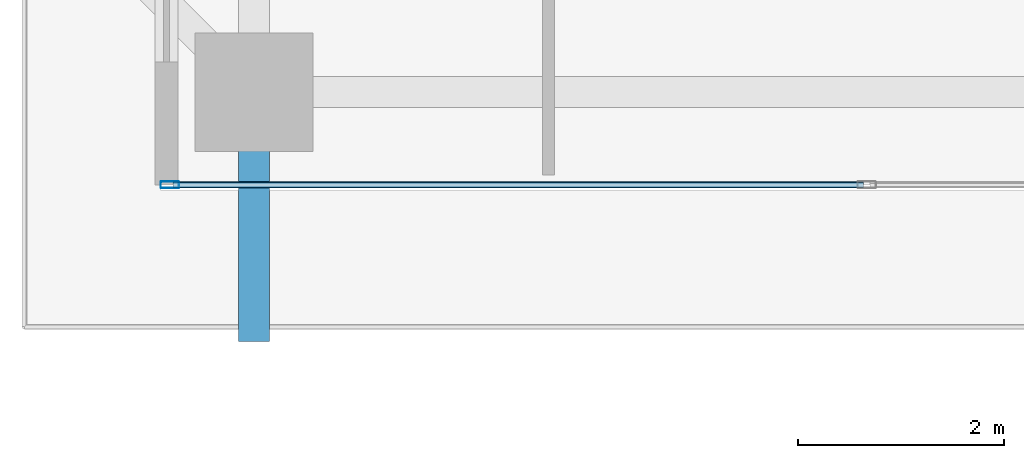
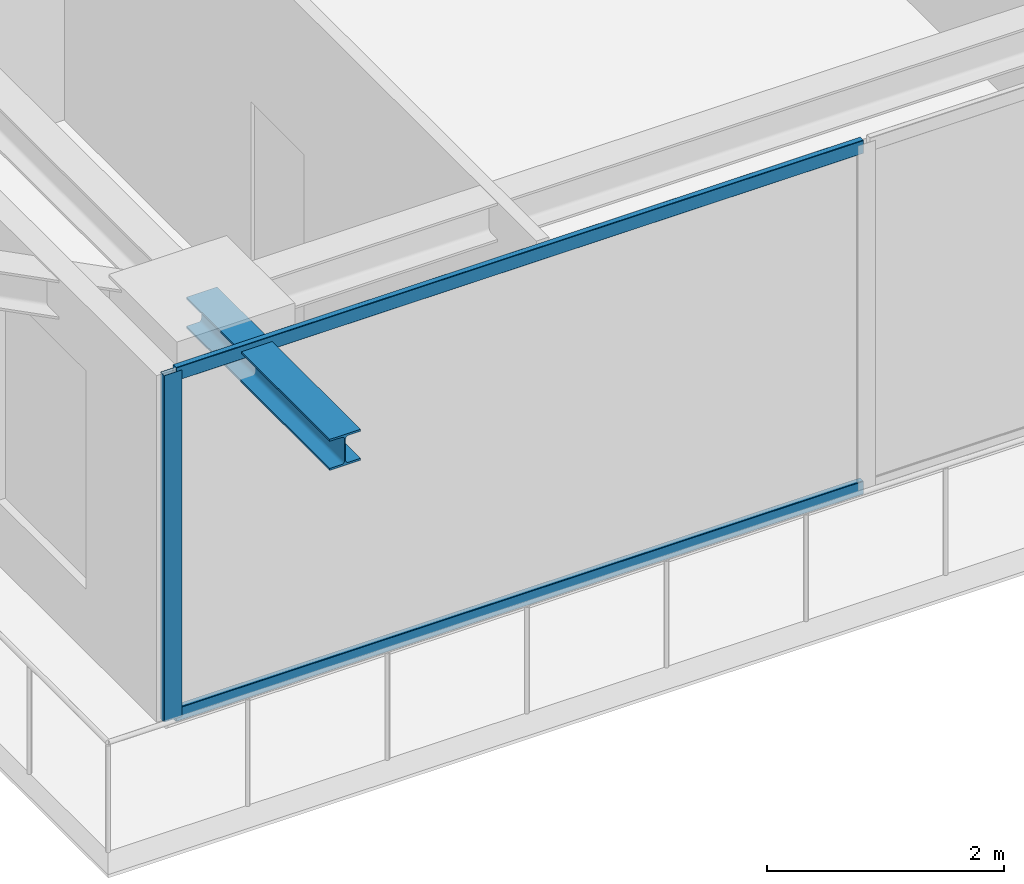
# One storey, part 2 of 39: 3 members, 1 beam, 1 element without a shape of its own.
"""IFC4 building model written with IfcOpenShell, lengths in metres."""

from ifc_helpers import new_model, si_unit, direction, frame, origin, origin_2d, place, context, subcontext, project, spatial, hollow_rectangle, i_section, extrude, source, transform, mapped, material, layer, layer_set, material_profile, profile_set, type_object, element, aggregate, save


model = new_model("IFC4")

# Units and contexts
model_context = context("Model", 3, precision=1e-05, world=origin(), true_north=direction((0.0, 1.0)))
body_context = subcontext(model_context, "Body", "Model", "MODEL_VIEW")
ifc_project = project(units=[si_unit("LENGTHUNIT", "METRE"), si_unit("AREAUNIT", "SQUARE_METRE"), si_unit("VOLUMEUNIT", "CUBIC_METRE"), si_unit("PLANEANGLEUNIT", "RADIAN"), si_unit("MASSUNIT", "GRAM", prefix="KILO")], contexts=[model_context])

# Site, building, storey
site_placement = place(None, origin())
site = spatial("IfcSite", under=ifc_project, at=site_placement, CompositionType="ELEMENT")
building_placement = place(site_placement, origin())
building = spatial("IfcBuilding", under=site, at=building_placement, Name="Serunith Strait Residences", CompositionType="ELEMENT")
storey_placement = place(building_placement, frame((0.0, 0.0, 222.0)))
storey = spatial("IfcBuildingStorey", under=building, at=storey_placement, Name="L55", CompositionType="ELEMENT", Elevation=222.0)

# Beam
ifc_material_1 = material(Name="Steel S355J2", Category="steel")
ifc_material_profile_1 = material_profile(ifc_material_1, i_section(OverallWidth=0.300048828125, OverallDepth=0.320068359375, WebThickness=0.011474609375, FlangeThickness=0.0205078125, FilletRadius=0.027099609375, at=origin_2d()), Name="HEB 320")
ifc_profile_set_1 = profile_set([ifc_material_profile_1], Name="Steel S355J2")
beam_type = type_object("IfcBeamType", Name="BM-HEB320", PredefinedType="BEAM", material=ifc_profile_set_1)
shared_shape_1 = source(origin(), body_context, "Body", "SweptSolid", [
    extrude(i_section(OverallWidth=0.300048828125, OverallDepth=0.320068359375, WebThickness=0.011474609375, FlangeThickness=0.0205078125, FilletRadius=0.027099609375, at=origin_2d()), origin(), (0.0, 0.0, 1.0), 2.421142578125),
])
beam_placement = place(storey_placement, frame((16.25, 2.10009765625, 3.39697265625), z_axis=(0.0, -1.0, 0.0), x_axis=(1.0, 0.0, 0.0)))
element("IfcBeam", 1, at=beam_placement, inside=storey, type_object=beam_type, Name="L56 Cantilevered Balcony Rib TC-S1", PredefinedType="BEAM", context=body_context, shape_type="MappedRepresentation", body=[
    mapped(shared_shape_1, transform((0.0, 0.0, 0.0), scale=1.0)),
])

# Curtain wall, members
ifc_material_2 = material(Name="Pale-Champagne Anodised Aluminium", Category="aluminium")
ifc_layer = layer(ifc_material_2, 0.199951171875, Name="Pale-Champagne Anodised Aluminium")
ifc_layer_set = layer_set([ifc_layer], Name="Pale-Champagne Anodised Aluminium")
curtain_wall_type = type_object("IfcCurtainWallType", Name="CW-SYS4", PredefinedType="NOTDEFINED", material=ifc_layer_set)
curtain_wall_placement = place(storey_placement, origin())
curtain_wall = element("IfcCurtainWall", 2, at=curtain_wall_placement, inside=storey, type_object=curtain_wall_type, Name="L55 S Unitised Fritted Curtain Wall", PredefinedType="NOTDEFINED")
ifc_material_profile_2 = material_profile(ifc_material_2, hollow_rectangle(XDim=0.06494140625, YDim=0.179931640625, WallThickness=0.00341796875, InnerFilletRadius=0.00537109375, OuterFilletRadius=0.0087890625, at=origin_2d()), Name="ALU 180x65x3.5")
ifc_profile_set_2 = profile_set([ifc_material_profile_2], Name="Pale-Champagne Anodised Aluminium")
member_type_1 = type_object("IfcMemberType", Name="CW-SYS4-MULL", PredefinedType="MULLION", material=ifc_profile_set_2)
shared_shape_2 = source(origin(), body_context, "Body", "SweptSolid", [
    extrude(hollow_rectangle(XDim=0.06494140625, YDim=0.179931640625, WallThickness=0.00341796875, InnerFilletRadius=0.00537109375, OuterFilletRadius=0.0087890625, at=origin_2d()), origin(), (0.0, 0.0, 1.0), 3.574951171875),
])
member_1_placement = place(storey_placement, frame((15.4326171875, 1.199951171875, 0.0), z_axis=(0.0, 0.0, 1.0), x_axis=(0.0, 1.0, 0.0)))
member_1 = element("IfcMember", 3, at=member_1_placement, type_object=member_type_1, Name="CW-4 mullion 1", PredefinedType="MULLION", context=body_context, shape_type="MappedRepresentation", body=[
    mapped(shared_shape_2, transform((0.0, 0.0, 0.0), scale=1.0)),
])
ifc_material_profile_3 = material_profile(ifc_material_2, hollow_rectangle(XDim=0.06005859375, YDim=0.139892578125, WallThickness=0.00341796875, InnerFilletRadius=0.00537109375, OuterFilletRadius=0.0087890625, at=origin_2d()), Name="ALU 140x60x3.5")
ifc_profile_set_3 = profile_set([ifc_material_profile_3], Name="Pale-Champagne Anodised Aluminium")
member_type_2 = type_object("IfcMemberType", Name="CW-SYS4-TRAN", PredefinedType="USERDEFINED", material=ifc_profile_set_3)
shared_shape_3 = source(origin(), body_context, "Body", "SweptSolid", [
    extrude(hollow_rectangle(XDim=0.06005859375, YDim=0.139892578125, WallThickness=0.00341796875, InnerFilletRadius=0.00537109375, OuterFilletRadius=0.0087890625, at=origin_2d()), origin(), (0.0, 0.0, 1.0), 6.702392578125),
])
member_2_placement = place(storey_placement, frame((15.465087890625, 1.199951171875, 0.030029296875), z_axis=(1.0, 0.0, 0.0), x_axis=(0.0, 1.0, 0.0)))
member_2 = element("IfcMember", 4, at=member_2_placement, type_object=member_type_2, Name="CW-4 transom 1.1", ObjectType="TRANSOM", PredefinedType="USERDEFINED", context=body_context, shape_type="MappedRepresentation", body=[
    mapped(shared_shape_3, transform((0.0, 0.0, 0.0), scale=1.0)),
])
member_3_placement = place(storey_placement, frame((15.465087890625, 1.199951171875, 3.544921875), z_axis=(1.0, 0.0, 0.0), x_axis=(0.0, 1.0, 0.0)))
member_3 = element("IfcMember", 5, at=member_3_placement, type_object=member_type_2, Name="CW-4 transom 1.2", ObjectType="TRANSOM", PredefinedType="USERDEFINED", context=body_context, shape_type="MappedRepresentation", body=[
    mapped(shared_shape_3, transform((0.0, 0.0, 0.0), scale=1.0)),
])
aggregate(curtain_wall, [member_1, member_2, member_3])

save(model, "model.ifc")
